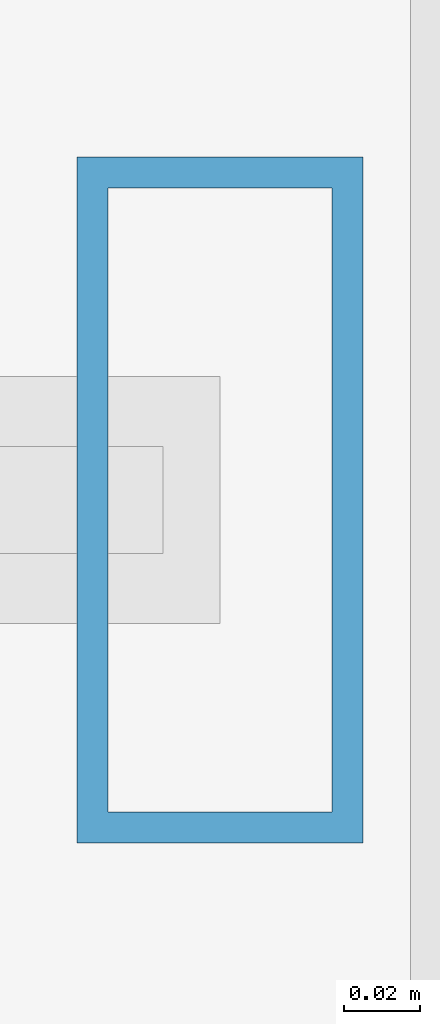
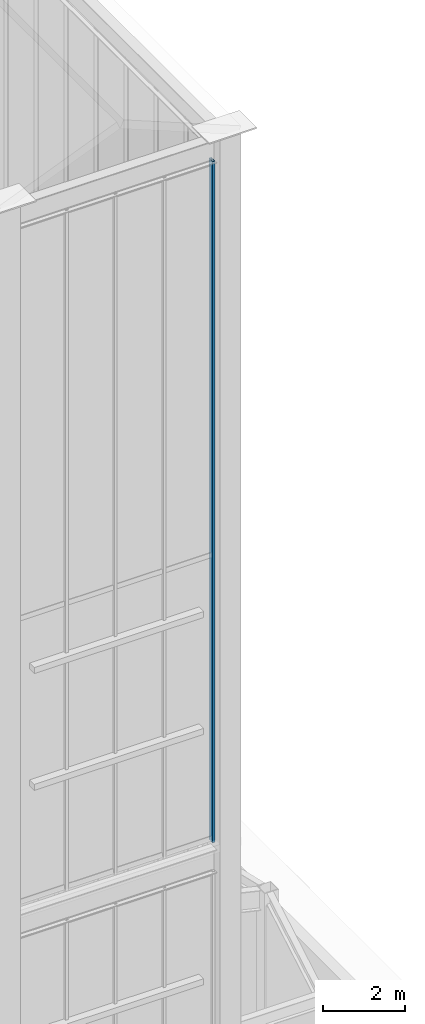
# One storey, part 44 of 135: 1 member, 1 element without a shape of its own.
"""IFC4 building model written with IfcOpenShell, lengths in metres."""

from ifc_helpers import new_model, si_unit, direction, frame, origin, origin_2d, place, context, subcontext, project, spatial, hollow_rectangle, extrude, source, transform, mapped, material, layer, layer_set, material_profile, profile_set, type_object, element, aggregate, save


model = new_model("IFC4")

# Units and contexts
model_context = context("Model", 3, precision=1e-05, world=origin(), true_north=direction((0.0, 1.0)))
body_context = subcontext(model_context, "Body", "Model", "MODEL_VIEW")
ifc_project = project(units=[si_unit("LENGTHUNIT", "METRE"), si_unit("AREAUNIT", "SQUARE_METRE"), si_unit("VOLUMEUNIT", "CUBIC_METRE"), si_unit("PLANEANGLEUNIT", "RADIAN"), si_unit("MASSUNIT", "GRAM", prefix="KILO")], contexts=[model_context])

# Site, building, storey
site_placement = place(None, origin())
site = spatial("IfcSite", under=ifc_project, at=site_placement, CompositionType="ELEMENT")
building_placement = place(site_placement, origin())
building = spatial("IfcBuilding", under=site, at=building_placement, Name="Giltprow Tower", CompositionType="ELEMENT")
storey_placement = place(building_placement, frame((0.0, 0.0, 352.699951171875)))
storey = spatial("IfcBuildingStorey", under=building, at=storey_placement, Name="L92", CompositionType="ELEMENT", Elevation=352.699951171875)

# Curtain wall, member
ifc_material = material(Name="Anodized bronze", Category="metal")
ifc_layer = layer(ifc_material, 0.179931640625, Name="Anodized bronze")
ifc_layer_set = layer_set([ifc_layer], Name="Anodized bronze")
curtain_wall_type = type_object("IfcCurtainWallType", Name="CW-CROWN-LANTERN", PredefinedType="NOTDEFINED", material=ifc_layer_set)
curtain_wall_placement = place(storey_placement, origin())
curtain_wall = element("IfcCurtainWall", 1, at=curtain_wall_placement, inside=storey, type_object=curtain_wall_type, Name="Crown East Upper Lantern Glazing 1", PredefinedType="NOTDEFINED")
ifc_material_profile = material_profile(ifc_material, hollow_rectangle(XDim=0.074951171875, YDim=0.179931640625, WallThickness=0.008056640625, at=origin_2d()), Name="RHS 180x75x8")
ifc_profile_set = profile_set([ifc_material_profile], Name="Anodized bronze")
member_type = type_object("IfcMemberType", Name="CW-MULLION-180x75", PredefinedType="MULLION", material=ifc_profile_set)
shared_shape = source(origin(), body_context, "Body", "SweptSolid", [
    extrude(hollow_rectangle(XDim=0.074951171875, YDim=0.179931640625, WallThickness=0.008056640625, at=origin_2d()), origin(), (0.0, 0.0, 1.0), 20.406005859375),
])
member_placement = place(storey_placement, frame((50.199951171875, 23.5, 17.25), z_axis=(0.0, 0.0, 1.0), x_axis=(1.0, 0.0, 0.0)))
member = element("IfcMember", 2, at=member_placement, type_object=member_type, Name="Crown East Upper Lantern Glazing 1 Mullion 5", PredefinedType="MULLION", context=body_context, shape_type="MappedRepresentation", body=[
    mapped(shared_shape, transform((0.0, 0.0, 0.0), x_axis=(1.0, 0.0, 0.0), y_axis=(0.0, 1.0, 0.0), z_axis=(0.0, 0.0, 1.0), scale=1.0)),
])
aggregate(curtain_wall, [member])

save(model, "model.ifc")
